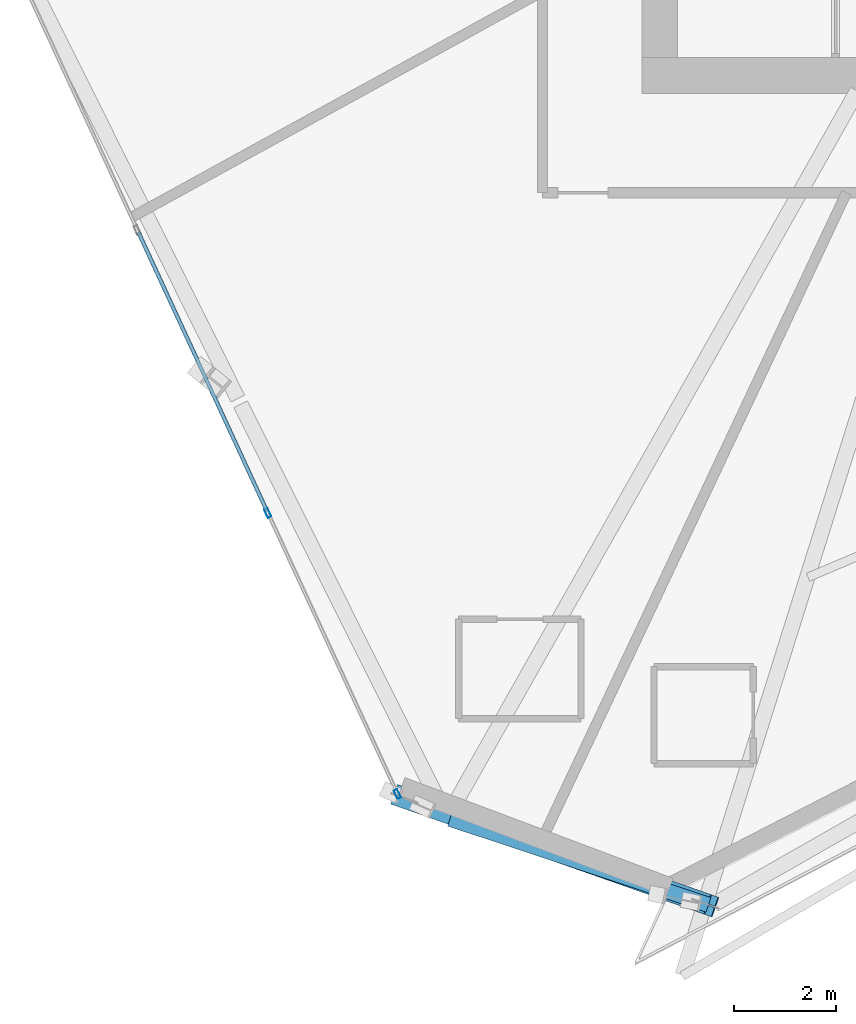
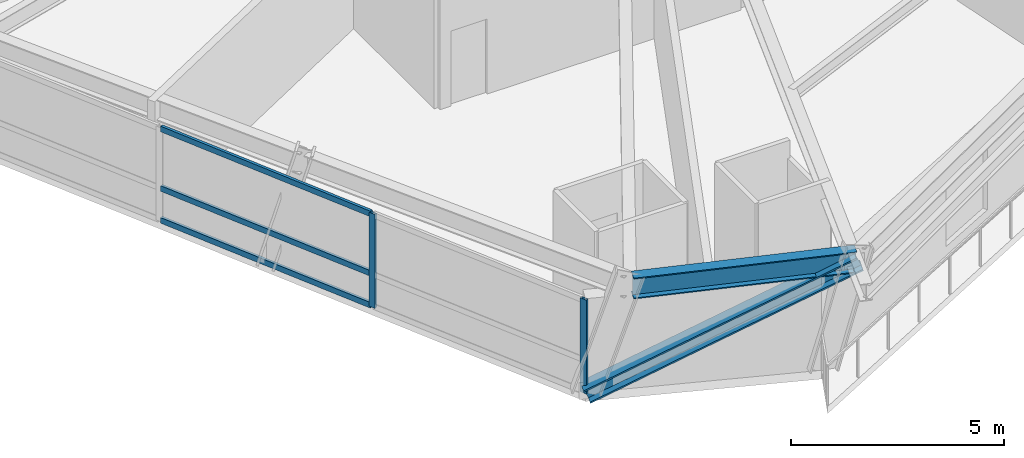
# One storey, part 2 of 22: 6 members, 1 beam, 1 element without a shape of its own.
"""IFC4 building model written with IfcOpenShell, lengths in metres."""

from ifc_helpers import new_model, si_unit, direction, frame, origin, origin_2d, place, context, subcontext, project, spatial, hollow_rectangle, i_section, extrude, source, transform, mapped, material, material_profile, profile_set, type_object, element, aggregate, save


model = new_model("IFC4")

# Units and contexts
model_context = context("Model", 3, precision=1e-05, world=origin(), true_north=direction((0.0, 1.0)))
body_context = subcontext(model_context, "Body", "Model", "MODEL_VIEW")
ifc_project = project(units=[si_unit("LENGTHUNIT", "METRE"), si_unit("AREAUNIT", "SQUARE_METRE"), si_unit("VOLUMEUNIT", "CUBIC_METRE"), si_unit("PLANEANGLEUNIT", "RADIAN"), si_unit("MASSUNIT", "GRAM", prefix="KILO")], contexts=[model_context])

# Site, building, storey
site_placement = place(None, origin())
site = spatial("IfcSite", under=ifc_project, at=site_placement, CompositionType="ELEMENT")
building_placement = place(site_placement, origin())
building = spatial("IfcBuilding", under=site, at=building_placement, Name="Olszyna Solenne Hotel", CompositionType="ELEMENT")
storey_placement = place(building_placement, frame((0.0, 0.0, 95.050048828125)))
storey = spatial("IfcBuildingStorey", under=building, at=storey_placement, Name="L24", CompositionType="ELEMENT", Elevation=95.050048828125)

# Beam
ifc_material_1 = material(Name="Steel S355J2", Category="steel")
ifc_material_profile_1 = material_profile(ifc_material_1, i_section(OverallWidth=0.300048828125, OverallDepth=0.60009765625, WebThickness=0.015380859375, FlangeThickness=0.030029296875, at=origin_2d()), Name="HEB 600", Category="load-bearing")
ifc_profile_set_1 = profile_set([ifc_material_profile_1], Name="Steel S355J2")
beam_type = type_object("IfcBeamType", Name="BM-S2", PredefinedType="BEAM", material=ifc_profile_set_1)
shared_shape_1 = source(origin(), body_context, "Body", "SweptSolid", [
    extrude(i_section(OverallWidth=0.300048828125, OverallDepth=0.60009765625, WebThickness=0.015380859375, FlangeThickness=0.030029296875, at=origin_2d()), origin(), (0.0, 0.0, 1.0), 5.347412109375),
])
beam_placement = place(storey_placement, frame((25.630859375, 4.56494140625, 3.0), z_axis=(0.948870321771, -0.315666140823, 0.0), x_axis=(0.315666140823, 0.948870321771, 0.0)))
element("IfcBeam", 1, at=beam_placement, inside=storey, type_object=beam_type, Name="Perimeter spandrel beam BM-S2 B-L24-0728", PredefinedType="BEAM", context=body_context, shape_type="MappedRepresentation", body=[
    mapped(shared_shape_1, transform((0.0, 0.0, 0.0), x_axis=(1.0, 0.0, 0.0), y_axis=(0.0, 1.0, 0.0), z_axis=(0.0, 0.0, 1.0), scale=1.0)),
])

# Member
ifc_material_2 = material(Name="Steel S460M", Category="steel")
ifc_material_profile_2 = material_profile(ifc_material_2, i_section(OverallWidth=0.406005859375, OverallDepth=0.416015625, WebThickness=0.026611328125, FlangeThickness=0.04150390625, at=origin_2d()), Name="HD 400x382", Category="load-bearing")
ifc_profile_set_2 = profile_set([ifc_material_profile_2], Name="Steel S460M")
member_type_1 = type_object("IfcMemberType", Name="BR-T2", PredefinedType="BRACE", material=ifc_profile_set_2)
shared_shape_2 = source(origin(), body_context, "Body", "SweptSolid", [
    extrude(i_section(OverallWidth=0.406005859375, OverallDepth=0.416015625, WebThickness=0.026611328125, FlangeThickness=0.04150390625, at=origin_2d()), origin(), (0.0, 0.0, 1.0), 7.154541015625),
])
member_1_placement = place(storey_placement, frame((24.6162109375, 5.016357421875, 0.010009765625), z_axis=(0.858974281123, -0.301657899457, 0.413721761653), x_axis=(0.331345322274, 0.943509553426, 0.0)))
element("IfcMember", 2, at=member_1_placement, inside=storey, type_object=member_type_1, Name="Perimeter braced-tube diagonal BR-T2 BR-L24-3", PredefinedType="BRACE", context=body_context, shape_type="MappedRepresentation", body=[
    mapped(shared_shape_2, transform((0.0, 0.0, 0.0), x_axis=(1.0, 0.0, 0.0), y_axis=(0.0, 1.0, 0.0), z_axis=(0.0, 0.0, 1.0), scale=1.0)),
])

# Curtain wall, members
ifc_material_3 = material(Name="Anodised bronze aluminium", Category="aluminium")
curtain_wall_type = type_object("IfcCurtainWallType", Name="CW-SYS-3", PredefinedType="NOTDEFINED", material=ifc_material_3)
curtain_wall_placement = place(storey_placement, origin())
curtain_wall = element("IfcCurtainWall", 3, at=curtain_wall_placement, inside=storey, type_object=curtain_wall_type, Name="Unitised curtain wall CW-SYS-3 CW-L24-01", PredefinedType="NOTDEFINED")
ifc_material_profile_3 = material_profile(ifc_material_3, hollow_rectangle(XDim=0.074951171875, YDim=0.179931640625, WallThickness=0.00439453125, at=origin_2d()), Name="MULL 180x75x4.5", Category="load-bearing")
ifc_profile_set_3 = profile_set([ifc_material_profile_3], Name="Anodised bronze aluminium")
member_type_2 = type_object("IfcMemberType", Name="CW-M2", PredefinedType="MULLION", material=ifc_profile_set_3)
shared_shape_3 = source(origin(), body_context, "Body", "SweptSolid", [
    extrude(hollow_rectangle(XDim=0.074951171875, YDim=0.179931640625, WallThickness=0.00439453125, at=origin_2d()), origin(), (0.0, 0.0, 1.0), 2.69189453125),
])
member_2_placement = place(storey_placement, frame((22.057861328125, 10.563720703125, 0.0), z_axis=(0.0, 0.0, 1.0), x_axis=(0.908085188814, 0.418785493846, 0.0)))
member_2 = element("IfcMember", 4, at=member_2_placement, type_object=member_type_2, Name="Curtain-wall mullion CW-M2 CM-L24-01-03", PredefinedType="MULLION", context=body_context, shape_type="MappedRepresentation", body=[
    mapped(shared_shape_3, transform((0.0, 0.0, 0.0), x_axis=(1.0, 0.0, 0.0), y_axis=(0.0, 1.0, 0.0), z_axis=(0.0, 0.0, 1.0), scale=1.0)),
])
member_3_placement = place(storey_placement, frame((24.600341796875, 5.05029296875, 0.0), z_axis=(0.0, 0.0, 1.0), x_axis=(0.908085188814, 0.418785493846, 0.0)))
member_3 = element("IfcMember", 5, at=member_3_placement, type_object=member_type_2, Name="Curtain-wall mullion CW-M2 CM-L24-01-04", PredefinedType="MULLION", context=body_context, shape_type="MappedRepresentation", body=[
    mapped(shared_shape_3, transform((0.0, 0.0, 0.0), x_axis=(1.0, 0.0, 0.0), y_axis=(0.0, 1.0, 0.0), z_axis=(0.0, 0.0, 1.0), scale=1.0)),
])
ifc_material_profile_4 = material_profile(ifc_material_3, hollow_rectangle(XDim=0.074951171875, YDim=0.159912109375, WallThickness=0.00390625, at=origin_2d()), Name="TRAN 160x75x4", Category="load-bearing")
ifc_profile_set_4 = profile_set([ifc_material_profile_4], Name="Anodised bronze aluminium")
member_type_3 = type_object("IfcMemberType", Name="CW-T1", PredefinedType="USERDEFINED", material=ifc_profile_set_4)
shared_shape_4 = source(origin(), body_context, "Body", "SweptSolid", [
    extrude(hollow_rectangle(XDim=0.074951171875, YDim=0.159912109375, WallThickness=0.00390625, at=origin_2d()), origin(), (0.0, 0.0, 1.0), 6.033935546875),
])
member_4_placement = place(storey_placement, frame((19.51513671875, 16.0771484375, 0.037353515625), z_axis=(0.418781043023, -0.908087241406, 0.0), x_axis=(0.908087241406, 0.418781043023, 0.0)))
member_4 = element("IfcMember", 6, at=member_4_placement, type_object=member_type_3, Name="Curtain-wall transom CW-T1 CT-L24-01-04", ObjectType="TRANSOM", PredefinedType="USERDEFINED", context=body_context, shape_type="MappedRepresentation", body=[
    mapped(shared_shape_4, transform((0.0, 0.0, 0.0), x_axis=(1.0, 0.0, 0.0), y_axis=(0.0, 1.0, 0.0), z_axis=(0.0, 0.0, 1.0), scale=1.0)),
])
member_5_placement = place(storey_placement, frame((19.51513671875, 16.0771484375, 0.949951171875), z_axis=(0.418781043023, -0.908087241406, 0.0), x_axis=(0.908087241406, 0.418781043023, 0.0)))
member_5 = element("IfcMember", 7, at=member_5_placement, type_object=member_type_3, Name="Curtain-wall transom CW-T1 CT-L24-01-05", ObjectType="TRANSOM", PredefinedType="USERDEFINED", context=body_context, shape_type="MappedRepresentation", body=[
    mapped(shared_shape_4, transform((0.0, 0.0, 0.0), x_axis=(1.0, 0.0, 0.0), y_axis=(0.0, 1.0, 0.0), z_axis=(0.0, 0.0, 1.0), scale=1.0)),
])
member_6_placement = place(storey_placement, frame((19.51513671875, 16.0771484375, 2.654541015625), z_axis=(0.418781043023, -0.908087241406, 0.0), x_axis=(0.908087241406, 0.418781043023, 0.0)))
member_6 = element("IfcMember", 8, at=member_6_placement, type_object=member_type_3, Name="Curtain-wall transom CW-T1 CT-L24-01-06", ObjectType="TRANSOM", PredefinedType="USERDEFINED", context=body_context, shape_type="MappedRepresentation", body=[
    mapped(shared_shape_4, transform((0.0, 0.0, 0.0), x_axis=(1.0, 0.0, 0.0), y_axis=(0.0, 1.0, 0.0), z_axis=(0.0, 0.0, 1.0), scale=1.0)),
])
aggregate(curtain_wall, [member_2, member_3, member_4, member_5, member_6])

save(model, "model.ifc")
